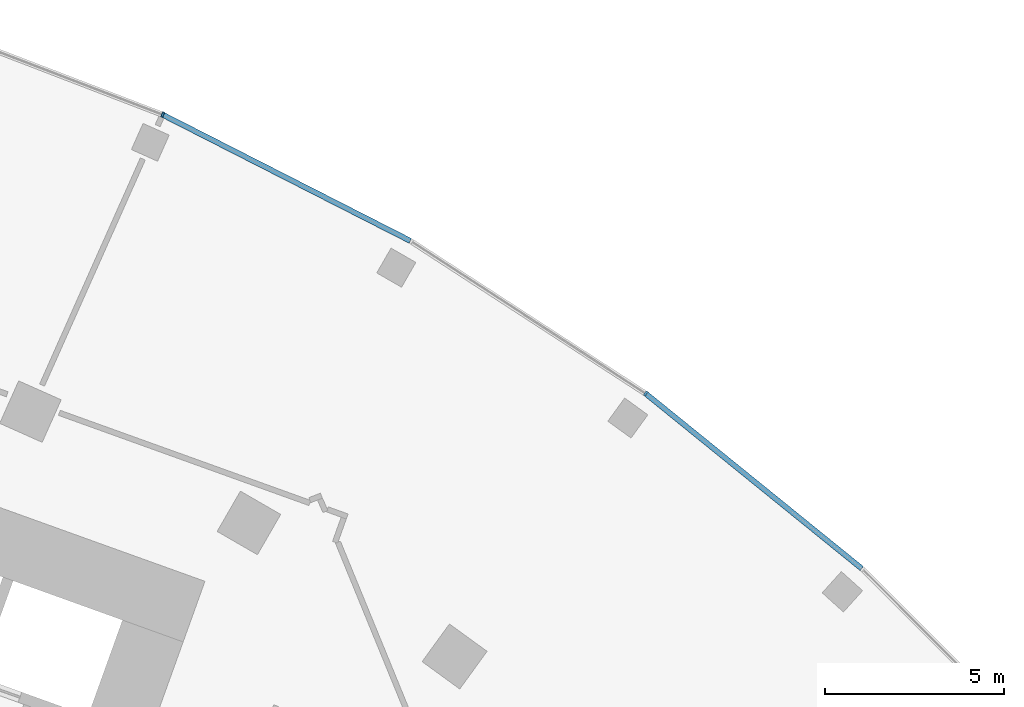
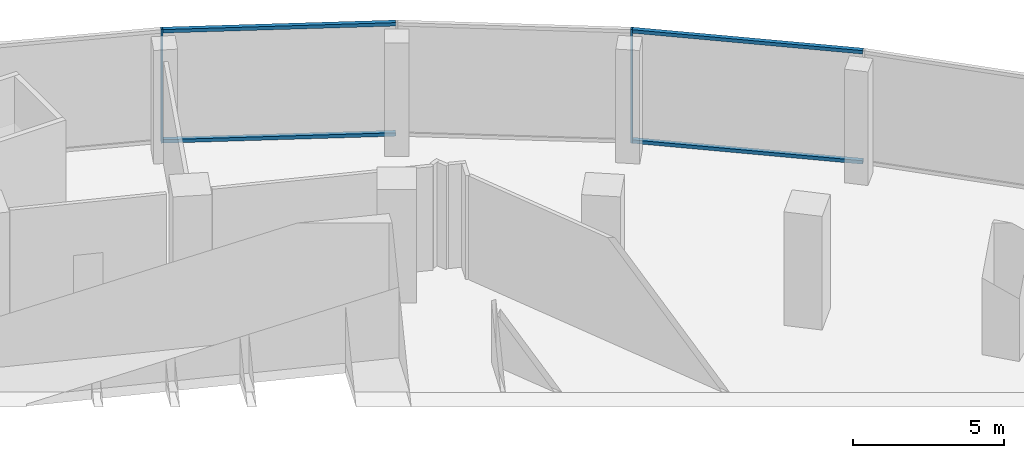
# One storey, part 13 of 39: 6 members, 1 element without a shape of its own.
"""IFC4 building model written with IfcOpenShell, lengths in metres."""

from ifc_helpers import new_model, si_unit, direction, frame, origin, origin_2d, place, context, subcontext, project, spatial, rectangle, extrude, material, layer, layer_set, material_profile, profile_set, type_object, element, aggregate, save


model = new_model("IFC4")

# Units and contexts
model_context = context("Model", 3, precision=1e-05, world=origin(), true_north=direction((0.0, 1.0)))
body_context = subcontext(model_context, "Body", "Model", "MODEL_VIEW")
ifc_project = project(units=[si_unit("LENGTHUNIT", "METRE"), si_unit("AREAUNIT", "SQUARE_METRE"), si_unit("VOLUMEUNIT", "CUBIC_METRE"), si_unit("PLANEANGLEUNIT", "RADIAN"), si_unit("MASSUNIT", "GRAM", prefix="KILO")], contexts=[model_context])

# Site, building, storey
site_placement = place(None, origin())
site = spatial("IfcSite", under=ifc_project, at=site_placement, CompositionType="ELEMENT")
building_placement = place(site_placement, origin())
building = spatial("IfcBuilding", under=site, at=building_placement, Name="Stone Belt Terrace Tower", CompositionType="ELEMENT")
storey_placement = place(building_placement, frame((0.0, 0.0, 16.199951171875)))
storey = spatial("IfcBuildingStorey", under=building, at=storey_placement, Name="L03", CompositionType="ELEMENT", Elevation=16.199951171875)

# Curtain wall, members
ifc_material = material(Name="Aluminium 6063-T6 anodised frame", Category="aluminium")
ifc_layer = layer(ifc_material, 0.14990234375)
ifc_layer_set = layer_set([ifc_layer], Name="CW-D podium shopfront")
curtain_wall_type = type_object("IfcCurtainWallType", Name="CW-D podium shopfront", PredefinedType="NOTDEFINED", material=ifc_layer_set)
curtain_wall_placement = place(storey_placement, origin())
curtain_wall = element("IfcCurtainWall", 1, at=curtain_wall_placement, inside=storey, type_object=curtain_wall_type, Name="CW-D convex face L03", PredefinedType="NOTDEFINED")
ifc_material_profile_1 = material_profile(ifc_material, rectangle(XDim=0.14990234375, YDim=0.06005859375, at=origin_2d()), Name="Aluminium 6063-T6 60x150")
ifc_profile_set_1 = profile_set([ifc_material_profile_1], Name="Aluminium 6063-T6 anodised frame")
member_type_1 = type_object("IfcMemberType", Name="CW-D mullion 60 x 150", PredefinedType="MULLION", material=ifc_profile_set_1)
member_1_placement = place(storey_placement, frame((43.834228515625, 60.33251953125, 0.0), z_axis=(0.0, 0.0, 1.0), x_axis=(-0.587785252292, -0.809016994375, 0.0)))
member_1 = element("IfcMember", 2, at=member_1_placement, type_object=member_type_1, Name="CW-D mullion 7", PredefinedType="MULLION", context=body_context, shape_type="SweptSolid", body=[
    extrude(rectangle(XDim=0.14990234375, YDim=0.06005859375, at=origin_2d()), origin(), (0.0, 0.0, 1.0), 4.60009765625),
])
member_2_placement = place(storey_placement, frame((30.33251953125, 68.127685546875, 0.0), z_axis=(0.0, 0.0, 1.0), x_axis=(-0.406736643076, -0.913545457643, 0.0)))
member_2 = element("IfcMember", 3, at=member_2_placement, type_object=member_type_1, Name="CW-D mullion 9", PredefinedType="MULLION", context=body_context, shape_type="SweptSolid", body=[
    extrude(rectangle(XDim=0.14990234375, YDim=0.06005859375, at=origin_2d()), origin(), (0.0, 0.0, 1.0), 4.60009765625),
])
ifc_material_profile_2 = material_profile(ifc_material, rectangle(XDim=0.14990234375, YDim=0.139892578125, at=origin_2d()), Name="Aluminium 6063-T6 150x140")
ifc_profile_set_2 = profile_set([ifc_material_profile_2], Name="Aluminium 6063-T6 anodised frame")
member_type_2 = type_object("IfcMemberType", Name="CW-D transom 140 x 150", PredefinedType="USERDEFINED", material=ifc_profile_set_2)
member_3_placement = place(storey_placement, frame((49.874267578125, 55.44140625, 0.070068359375), z_axis=(-0.777139794023, 0.62932800712, 0.0), x_axis=(-0.62932800712, -0.777139794023, 0.0)))
member_3 = element("IfcMember", 4, at=member_3_placement, type_object=member_type_2, Name="CW-D transom 6.1", ObjectType="TRANSOM", PredefinedType="USERDEFINED", context=body_context, shape_type="SweptSolid", body=[
    extrude(rectangle(XDim=0.14990234375, YDim=0.139892578125, at=origin_2d()), origin(), (0.0, 0.0, 1.0), 7.73828125),
])
member_4_placement = place(storey_placement, frame((49.874267578125, 55.44140625, 4.530029296875), z_axis=(-0.777139794023, 0.62932800712, 0.0), x_axis=(-0.62932800712, -0.777139794023, 0.0)))
member_4 = element("IfcMember", 5, at=member_4_placement, type_object=member_type_2, Name="CW-D transom 6.2", ObjectType="TRANSOM", PredefinedType="USERDEFINED", context=body_context, shape_type="SweptSolid", body=[
    extrude(rectangle(XDim=0.14990234375, YDim=0.139892578125, at=origin_2d()), origin(), (0.0, 0.0, 1.0), 7.73828125),
])
member_5_placement = place(storey_placement, frame((37.25732421875, 64.599365234375, 0.070068359375), z_axis=(-0.891013010183, 0.453977770034, 0.0), x_axis=(-0.453977770034, -0.891013010183, 0.0)))
member_5 = element("IfcMember", 6, at=member_5_placement, type_object=member_type_2, Name="CW-D transom 8.1", ObjectType="TRANSOM", PredefinedType="USERDEFINED", context=body_context, shape_type="SweptSolid", body=[
    extrude(rectangle(XDim=0.14990234375, YDim=0.139892578125, at=origin_2d()), origin(), (0.0, 0.0, 1.0), 7.738037109375),
])
member_6_placement = place(storey_placement, frame((37.25732421875, 64.599365234375, 4.530029296875), z_axis=(-0.891013010183, 0.453977770034, 0.0), x_axis=(-0.453977770034, -0.891013010183, 0.0)))
member_6 = element("IfcMember", 7, at=member_6_placement, type_object=member_type_2, Name="CW-D transom 8.2", ObjectType="TRANSOM", PredefinedType="USERDEFINED", context=body_context, shape_type="SweptSolid", body=[
    extrude(rectangle(XDim=0.14990234375, YDim=0.139892578125, at=origin_2d()), origin(), (0.0, 0.0, 1.0), 7.738037109375),
])
aggregate(curtain_wall, [member_1, member_2, member_3, member_4, member_5, member_6])

save(model, "model.ifc")
